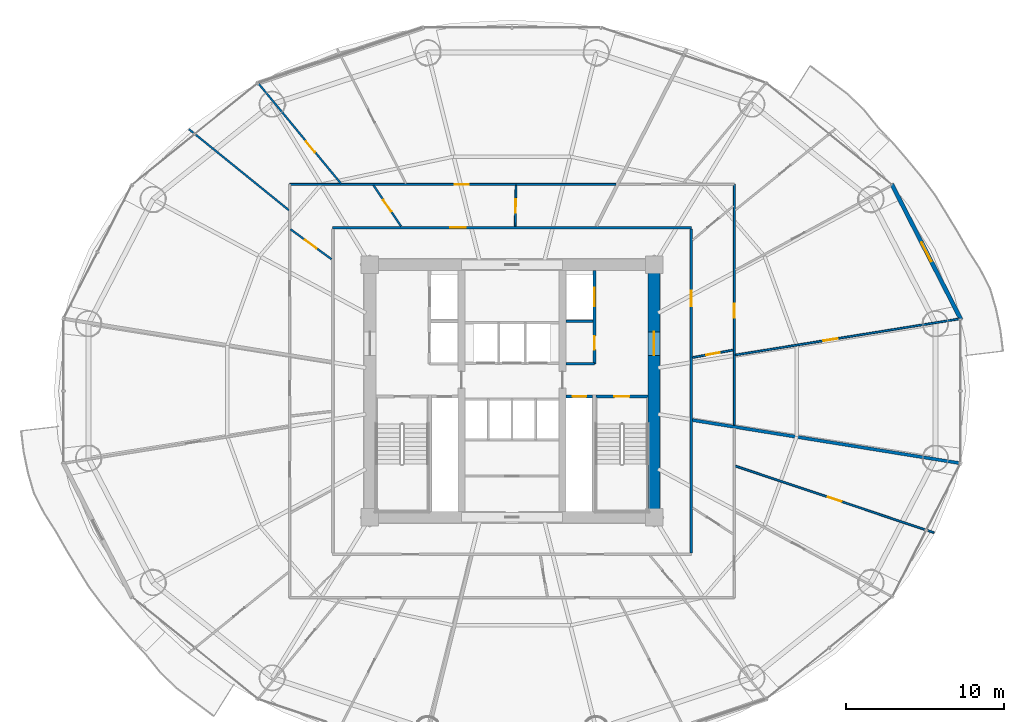
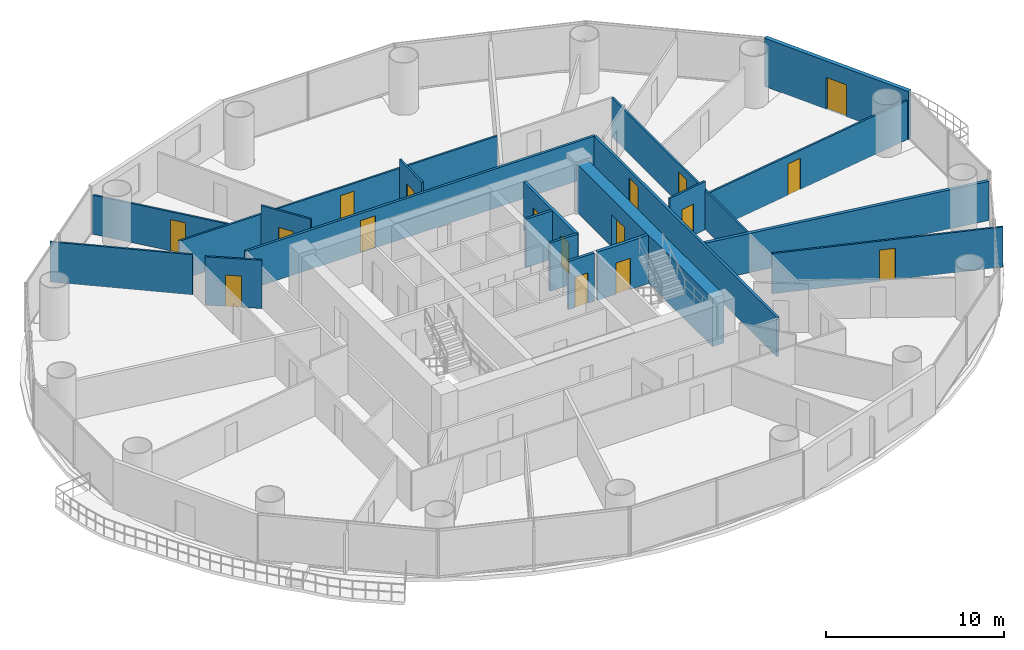
# One storey, part 25 of 30: 20 walls, 17 doors, 17 openings.
"""IFC4 building model written with IfcOpenShell, lengths in metres."""

import ifcopenshell
import ifcopenshell.guid

model = None  # the IFC model being written
_history = None  # IfcOwnerHistory: only IFC2X3 demands one
_inside = {}  # id of a spatial element -> (the spatial element, [elements in it])
_under = {}  # id of a project, library or spatial element -> (it, [spatial elements below it])
_declared = {}  # id of a project -> (the project, [libraries it declares])
_typed = {}  # id of a type object -> (the type object, [elements of that type])
_made_of = {}  # id of a material, layer set ... -> (it, [elements and type objects made of it])


def new_model(schema):
    """Start an empty IFC model of exactly this schema.

    Asked for "IFC4X3", IfcOpenShell would pick the latest addendum, in which some entities
    have other attributes; the version numbers below select the first issue.
    IFC2X3 requires an IfcOwnerHistory on every rooted entity: one is made here for all.
    """
    global model, _history
    if schema == "IFC4X3":
        model = ifcopenshell.file(schema_version=(4, 3, 0, 0))
    else:
        model = ifcopenshell.file(schema=schema)
    _inside.clear()
    _under.clear()
    _declared.clear()
    _typed.clear()
    _made_of.clear()
    _history = None
    if model.schema == "IFC2X3":
        org = make("IfcOrganization", Name="unknown")
        user = make(
            "IfcPersonAndOrganization",
            ThePerson=make("IfcPerson", FamilyName="unknown"),
            TheOrganization=org,
        )
        app = make(
            "IfcApplication",
            ApplicationDeveloper=org,
            Version="unknown",
            ApplicationFullName="unknown",
            ApplicationIdentifier="unknown",
        )
        _history = make(
            "IfcOwnerHistory",
            OwningUser=user,
            OwningApplication=app,
            ChangeAction="ADDED",
            CreationDate=0,
        )
    return model


def make(cls, **values):
    """One entity of the class cls with the attributes given. An attribute that is None is left unset."""
    return model.create_entity(
        cls, **{name: value for name, value in values.items() if value is not None}
    )


def rooted(cls, **values):
    """An entity with a GlobalId (a new one), such as an element, a storey or a relation."""
    return make(cls, GlobalId=ifcopenshell.guid.new(), OwnerHistory=_history, **values)


def si_unit(unit_type, name, prefix=None):
    """IfcSIUnit, for example si_unit("LENGTHUNIT", "METRE", prefix="MILLI")."""
    return make("IfcSIUnit", UnitType=unit_type, Prefix=prefix, Name=name)


def assignment(units):
    """IfcUnitAssignment: the units of a project."""
    return None if units is None else make("IfcUnitAssignment", Units=units)


def point(xyz):
    """IfcCartesianPoint."""
    return None if xyz is None else make("IfcCartesianPoint", Coordinates=xyz)


def direction(xyz):
    """IfcDirection."""
    return None if xyz is None else make("IfcDirection", DirectionRatios=xyz)


def frame(location, z_axis=None, x_axis=None):
    """IfcAxis2Placement3D, a coordinate frame: its origin and axes. An axis left out is left unset."""
    return make(
        "IfcAxis2Placement3D",
        Location=point(location),
        Axis=direction(z_axis),
        RefDirection=direction(x_axis),
    )


def frame_2d(location, x_axis=None):
    """IfcAxis2Placement2D, a coordinate frame in the plane: its origin and x axis."""
    return make(
        "IfcAxis2Placement2D", Location=point(location), RefDirection=direction(x_axis)
    )


def origin():
    """The frame at (0, 0, 0) with its axes left unset."""
    return frame((0.0, 0.0, 0.0))


def place(relative_to, where):
    """IfcLocalPlacement: puts the frame where relative to a parent placement (None: the world)."""
    return make(
        "IfcLocalPlacement", PlacementRelTo=relative_to, RelativePlacement=where
    )


def context(
    kind, dimensions, precision=None, world=None, true_north=None, identifier=None
):
    """IfcGeometricRepresentationContext, for example the 3D "Model" context."""
    return make(
        "IfcGeometricRepresentationContext",
        ContextIdentifier=identifier,
        ContextType=kind,
        CoordinateSpaceDimension=dimensions,
        Precision=precision,
        WorldCoordinateSystem=world,
        TrueNorth=true_north,
    )


def subcontext(parent, identifier, kind, view, scale=None):
    """IfcGeometricRepresentationSubContext, for example "Body" below "Model"."""
    return make(
        "IfcGeometricRepresentationSubContext",
        ContextIdentifier=identifier,
        ContextType=kind,
        ParentContext=parent,
        TargetScale=scale,
        TargetView=view,
    )


def project(units=None, contexts=None):
    """IfcProject with its units and contexts."""
    return rooted(
        "IfcProject",
        Name="project",
        RepresentationContexts=contexts,
        UnitsInContext=assignment(units),
    )


def spatial(cls, under=None, at=None, **own):
    """A site, building, storey or space (cls), placed at a placement, below another one or the project."""
    s = rooted(cls, ObjectPlacement=at, **own)
    if under is not None:
        _under.setdefault(under.id(), (under, []))[1].append(s)
    return s


def profile(cls, at=None, kind="AREA", **sizes):
    """A parametric profile (cls). Its sizes go by their IFC names, for example OverallWidth=200.0."""
    return make(cls, ProfileType=kind, Position=at, **sizes)


def rectangle(**sizes):
    """IfcRectangleProfileDef."""
    return profile("IfcRectangleProfileDef", **sizes)


def extrude(swept, where, along, depth):
    """IfcExtrudedAreaSolid: the profile swept, set in the frame where, extruded along a direction by depth."""
    return make(
        "IfcExtrudedAreaSolid",
        SweptArea=swept,
        Position=where,
        ExtrudedDirection=direction(along),
        Depth=depth,
    )


def shape(context_of_items, identifier, shape_type, items):
    """IfcShapeRepresentation: the items that make up one representation, for example the "Body"."""
    return make(
        "IfcShapeRepresentation",
        ContextOfItems=context_of_items,
        RepresentationIdentifier=identifier,
        RepresentationType=shape_type,
        Items=items,
    )


def source(mapping_origin, context_of_items, identifier, shape_type, items):
    """IfcRepresentationMap: a shape defined once, which mapped items show again and again."""
    return make(
        "IfcRepresentationMap",
        MappingOrigin=mapping_origin,
        MappedRepresentation=shape(context_of_items, identifier, shape_type, items),
    )


def transform(
    local_origin,
    x_axis=None,
    y_axis=None,
    z_axis=None,
    scale=None,
    scale2=None,
    scale3=None,
    uniform=True,
):
    """IfcCartesianTransformationOperator3D, or its non-uniform kind. x_axis, y_axis, z_axis: its Axis1, 2, 3."""
    if uniform:
        return make(
            "IfcCartesianTransformationOperator3D",
            Axis1=direction(x_axis),
            Axis2=direction(y_axis),
            LocalOrigin=point(local_origin),
            Scale=scale,
            Axis3=direction(z_axis),
        )
    return make(
        "IfcCartesianTransformationOperator3DnonUniform",
        Axis1=direction(x_axis),
        Axis2=direction(y_axis),
        LocalOrigin=point(local_origin),
        Scale=scale,
        Axis3=direction(z_axis),
        Scale2=scale2,
        Scale3=scale3,
    )


def mapped(mapping_source, mapping_target):
    """IfcMappedItem: shows the shape of a source again, moved by a transform."""
    return make(
        "IfcMappedItem", MappingSource=mapping_source, MappingTarget=mapping_target
    )


def material(Name=None, Category=None):
    """IfcMaterial."""
    return make("IfcMaterial", Name=Name, Category=Category)


def layer(
    of_material, thickness, ventilated=None, Name=None, Category=None, Priority=None
):
    """IfcMaterialLayer: one layer of a wall or slab, of a material (None: an air gap)."""
    return make(
        "IfcMaterialLayer",
        Material=of_material,
        LayerThickness=thickness,
        IsVentilated=ventilated,
        Name=Name,
        Category=Category,
        Priority=Priority,
    )


def layer_set(layers, Name=None):
    """IfcMaterialLayerSet."""
    return make("IfcMaterialLayerSet", MaterialLayers=layers, LayerSetName=Name)


def made_of(thing, what):
    """Note that an element or type object is made of a material, layer set ...; save() writes the relation."""
    if what is not None:
        _made_of.setdefault(what.id(), (what, []))[1].append(thing)
    return thing


def type_object(cls, material=None, **own):
    """A type object (cls), such as IfcWallType, which elements share."""
    return made_of(rooted(cls, **own), material)


def element(
    cls,
    number,
    at=None,
    inside=None,
    cuts=None,
    type_object=None,
    material=None,
    context=None,
    identifier="Body",
    shape_type=None,
    held_by="IfcProductDefinitionShape",
    body=None,
    shapes=None,
    **own,
):
    """One element of the class cls, such as IfcWall. Its Tag is "e" and its number.

    at: its placement. inside: the storey or other place that contains it. cuts: it is an
    opening in that element (IfcRelVoidsElement). A single representation is given by context,
    identifier, shape_type and body (its items); several are given by shapes. held_by: the class
    of the entity that holds the representations. save() writes the other relations.
    """
    e = rooted(cls, Tag="e%d" % number, ObjectPlacement=at, **own)
    if body is not None:
        shapes = [shape(context, identifier, shape_type, body)]
    if shapes is not None:
        e.Representation = make(held_by, Representations=shapes)
    if inside is not None:
        _inside.setdefault(inside.id(), (inside, []))[1].append(e)
    if cuts is not None:
        rooted(
            "IfcRelVoidsElement", RelatingBuildingElement=cuts, RelatedOpeningElement=e
        )
    if type_object is not None:
        _typed.setdefault(type_object.id(), (type_object, []))[1].append(e)
    return made_of(e, material)


def fill(opening, filler):
    """IfcRelFillsElement: the door or window that sits in an opening."""
    return rooted(
        "IfcRelFillsElement",
        RelatingOpeningElement=opening,
        RelatedBuildingElement=filler,
    )


def aggregate(whole, parts):
    """IfcRelAggregates: a whole, such as a stair, and the parts it consists of."""
    return rooted("IfcRelAggregates", RelatingObject=whole, RelatedObjects=parts)


def save(model, path):
    """Write the relations noted so far, then the file.

    IfcRelAggregates (storeys below a building ...), IfcRelContainedInSpatialStructure (elements
    in a storey), IfcRelDefinesByType, IfcRelAssociatesMaterial and IfcRelDeclares: one each for
    every whole, place, type object, material and project.
    """
    for whole, parts in _under.values():
        aggregate(whole, parts)
    for where, things in _inside.values():
        rooted(
            "IfcRelContainedInSpatialStructure",
            RelatedElements=things,
            RelatingStructure=where,
        )
    for kind, things in _typed.values():
        rooted("IfcRelDefinesByType", RelatedObjects=things, RelatingType=kind)
    for what, things in _made_of.values():
        rooted("IfcRelAssociatesMaterial", RelatedObjects=things, RelatingMaterial=what)
    for by, libraries in _declared.values():
        rooted("IfcRelDeclares", RelatingContext=by, RelatedDefinitions=libraries)
    model.write(path)


model = new_model("IFC4")

# Units and contexts
model_context = context("Model", 3, precision=1e-05, world=origin(), true_north=direction((-0.2419218956, 0.970295726276)))
body_context = subcontext(model_context, "Body", "Model", "MODEL_VIEW")
ifc_project = project(units=[si_unit("LENGTHUNIT", "METRE"), si_unit("AREAUNIT", "SQUARE_METRE"), si_unit("VOLUMEUNIT", "CUBIC_METRE"), si_unit("PLANEANGLEUNIT", "RADIAN"), si_unit("MASSUNIT", "GRAM", prefix="KILO")], contexts=[model_context])

# Site, building, storey
site_placement = place(None, origin())
site = spatial("IfcSite", under=ifc_project, at=site_placement, CompositionType="ELEMENT")
building_placement = place(site_placement, origin())
building = spatial("IfcBuilding", under=site, at=building_placement, Name="Cobrevalo Terracotta Tower", CompositionType="ELEMENT")
storey_placement = place(building_placement, frame((0.0, 0.0, 27.60009765625)))
storey = spatial("IfcBuildingStorey", under=building, at=storey_placement, Name="L06", CompositionType="ELEMENT", Elevation=27.60009765625)

# Wall, opening, door
ifc_material_1 = material(Name="Concrete C60", Category="concrete")
ifc_layer_1 = layer(ifc_material_1, 0.75)
ifc_layer_set_1 = layer_set([ifc_layer_1], Name="Concrete C60")
wall_type_1 = type_object("IfcWallType", Name="Core shear wall 750 mm Concrete C60", PredefinedType="SHEAR", material=ifc_layer_set_1)
wall_1_placement = place(storey_placement, frame((47.0, 19.175048828125, 0.0), z_axis=(0.0, 0.0, 1.0), x_axis=(0.0, 1.0, 0.0)))
wall_1 = element("IfcWall", 1, at=wall_1_placement, inside=storey, type_object=wall_type_1, Name="L06 east core shear wall", PredefinedType="SHEAR", context=body_context, shape_type="SweptSolid", body=[
    extrude(rectangle(XDim=15.25, YDim=0.75, at=frame_2d((7.625, 0.0))), origin(), (0.0, 0.0, 1.0), 3.31982421875),
])
opening_1_placement = place(wall_1_placement, frame((9.875, 0.0, 0.0)))
opening_1 = element("IfcOpeningElement", 2, at=opening_1_placement, cuts=wall_1, Name="Opening ID-14", PredefinedType="OPENING", context=body_context, shape_type="SweptSolid", body=[
    extrude(rectangle(XDim=1.5, YDim=2.199951171875, at=frame_2d((0.75, 1.10009765625))), frame((0.0, 0.385009765625, 0.0), z_axis=(0.0, -1.0, 0.0), x_axis=(1.0, 0.0, 0.0)), (0.0, 0.0, 1.0), 0.77001953125),
])
ifc_material_2 = material(Name="Galvanized fire-rated steel", Category="steel")
door_type_1 = type_object("IfcDoorType", Name="Core cross-lobby double fire door 1500x2200 EI 90", OperationType="NOTDEFINED", PredefinedType="DOOR", material=ifc_material_2)
shared_shape_1 = source(origin(), body_context, "Body", "SweptSolid", [
    extrude(rectangle(XDim=1.5, YDim=2.199951171875, at=frame_2d((0.75, 1.10009765625))), frame((0.0, 0.02490234375, 0.0), z_axis=(0.0, -1.0, 0.0), x_axis=(1.0, 0.0, 0.0)), (0.0, 0.0, 1.0), 0.050048828125),
])
door_1_placement = place(opening_1_placement, frame((1.5, 0.0, 0.0), z_axis=(0.0, 0.0, 1.0), x_axis=(-1.0, 0.0, 0.0)))
door_1 = element("IfcDoor", 3, at=door_1_placement, inside=storey, type_object=door_type_1, Name="L06 east firefighting lobby entrance door", OperationType="DOUBLE_DOOR_SINGLE_SWING", OverallHeight=2.199951171875, OverallWidth=1.5, PredefinedType="DOOR", context=body_context, shape_type="MappedRepresentation", body=[
    mapped(shared_shape_1, transform((0.0, 0.0, 0.0), scale=1.0)),
])
fill(opening_1, door_1)

# Walls
ifc_material_3 = material(Name="Gypsum board on steel stud", Category="steel")
ifc_layer_2 = layer(ifc_material_3, 0.159912109375)
ifc_layer_set_2 = layer_set([ifc_layer_2], Name="Gypsum board on steel stud")
wall_type_2 = type_object("IfcWallType", Name="Fire-rated corridor acoustic partition wall 160 mm", PredefinedType="PARTITIONING", material=ifc_layer_set_2)
wall_2_placement = place(storey_placement, frame((41.425048828125, 31.219970703125, 0.0), z_axis=(0.0, 0.0, 1.0), x_axis=(1.0, 0.0, 0.0)))
element("IfcWall", 4, at=wall_2_placement, inside=storey, type_object=wall_type_2, Name="L06 interior partition IW-L06-FF2-M", PredefinedType="PARTITIONING", context=body_context, shape_type="SweptSolid", body=[
    extrude(rectangle(XDim=1.71484375, YDim=0.159912109375, at=frame_2d((0.857421875, 0.0))), origin(), (0.0, 0.0, 1.0), 3.31982421875),
])
wall_3_placement = place(storey_placement, frame((41.425048828125, 28.52001953125, 0.0), z_axis=(0.0, 0.0, 1.0), x_axis=(1.0, 0.0, 0.0)))
element("IfcWall", 5, at=wall_3_placement, inside=storey, type_object=wall_type_2, Name="L06 interior partition IW-L06-FF2-S", PredefinedType="PARTITIONING", context=body_context, shape_type="SweptSolid", body=[
    extrude(rectangle(XDim=1.804931640625, YDim=0.159912109375, at=frame_2d((0.90234375, 0.0))), origin(), (0.0, 0.0, 1.0), 3.31982421875),
])

# Wall, opening, door
wall_4_placement = place(storey_placement, frame((26.64501953125, 37.155029296875, 0.0), z_axis=(0.0, 0.0, 1.0), x_axis=(1.0, 0.0, 0.0)))
wall_4 = element("IfcWall", 6, at=wall_4_placement, inside=storey, type_object=wall_type_2, Name="L06 interior partition IW-L06-COR-N", PredefinedType="PARTITIONING", context=body_context, shape_type="SweptSolid", body=[
    extrude(rectangle(XDim=22.7099609375, YDim=0.159912109375, at=frame_2d((11.35498046875, 0.0))), origin(), (0.0, 0.0, 1.0), 2.68798828125),
])
opening_2_placement = place(wall_4_placement, frame((7.44580078125, 0.0, 0.0)))
opening_2 = element("IfcOpeningElement", 7, at=opening_2_placement, cuts=wall_4, Name="Opening ID-05", PredefinedType="OPENING", context=body_context, shape_type="SweptSolid", body=[
    extrude(rectangle(XDim=0.97998046875, YDim=2.199951171875, at=frame_2d((0.489990234375, 1.10009765625))), frame((0.0, 0.08984375, 0.0), z_axis=(0.0, -1.0, 0.0), x_axis=(1.0, 0.0, 0.0)), (0.0, 0.0, 1.0), 0.179931640625),
])
ifc_material_4 = material(Name="Solid hardwood timber", Category="wood")
door_type_2 = type_object("IfcDoorType", Name="Residence entrance fire-rated acoustic timber door 980x2200 EI 60", OperationType="NOTDEFINED", PredefinedType="DOOR", material=ifc_material_4)
shared_shape_2 = source(origin(), body_context, "Body", "SweptSolid", [
    extrude(rectangle(XDim=0.97998046875, YDim=2.199951171875, at=frame_2d((0.489990234375, 1.10009765625))), frame((0.0, 0.02490234375, 0.0), z_axis=(0.0, -1.0, 0.0), x_axis=(1.0, 0.0, 0.0)), (0.0, 0.0, 1.0), 0.050048828125),
])
door_2_placement = place(opening_2_placement, origin())
door_2 = element("IfcDoor", 8, at=door_2_placement, inside=storey, type_object=door_type_2, Name="Flat L06B fire-rated apartment entrance door", OperationType="SINGLE_SWING_LEFT", OverallHeight=2.199951171875, OverallWidth=0.97998046875, PredefinedType="DOOR", context=body_context, shape_type="MappedRepresentation", body=[
    mapped(shared_shape_2, transform((0.0, 0.0, 0.0), scale=1.0)),
])
fill(opening_2, door_2)

wall_5_placement = place(storey_placement, frame((49.35498046875, 16.52490234375, 0.0), z_axis=(0.0, 0.0, 1.0), x_axis=(0.0, 1.0, 0.0)))
wall_5 = element("IfcWall", 9, at=wall_5_placement, inside=storey, type_object=wall_type_2, Name="L06 interior partition IW-L06-COR-E", PredefinedType="PARTITIONING", context=body_context, shape_type="SweptSolid", body=[
    extrude(rectangle(XDim=20.550048828125, YDim=0.159912109375, at=frame_2d((10.27490234375, 0.0))), origin(), (0.0, 0.0, 1.0), 2.68798828125),
])
opening_3_placement = place(wall_5_placement, frame((15.635009765625, 0.0, 0.0)))
opening_3 = element("IfcOpeningElement", 10, at=opening_3_placement, cuts=wall_5, Name="Opening ID-05", PredefinedType="OPENING", context=body_context, shape_type="SweptSolid", body=[
    extrude(rectangle(XDim=0.97998046875, YDim=2.199951171875, at=frame_2d((0.489990234375, 1.10009765625))), frame((0.0, 0.08984375, 0.0), z_axis=(0.0, -1.0, 0.0), x_axis=(1.0, 0.0, 0.0)), (0.0, 0.0, 1.0), 0.179931640625),
])
door_3_placement = place(opening_3_placement, frame((0.97998046875, 0.0, 0.0), z_axis=(0.0, 0.0, 1.0), x_axis=(-1.0, 0.0, 0.0)))
door_3 = element("IfcDoor", 11, at=door_3_placement, inside=storey, type_object=door_type_2, Name="Flat L06A fire-rated apartment entrance door", OperationType="SINGLE_SWING_LEFT", OverallHeight=2.199951171875, OverallWidth=0.97998046875, PredefinedType="DOOR", context=body_context, shape_type="MappedRepresentation", body=[
    mapped(shared_shape_2, transform((0.0, 0.0, 0.0), scale=1.0)),
])
fill(opening_3, door_3)

ifc_layer_3 = layer(ifc_material_3, 0.179931640625)
ifc_layer_set_3 = layer_set([ifc_layer_3], Name="Gypsum board on steel stud")
wall_type_3 = type_object("IfcWallType", Name="Fire-rated shaft & lobby acoustic partition wall 180 mm", PredefinedType="PARTITIONING", material=ifc_layer_set_3)
wall_6_placement = place(storey_placement, frame((41.425048828125, 26.449951171875, 0.0), z_axis=(0.0, 0.0, 1.0), x_axis=(1.0, 0.0, 0.0)))
wall_6 = element("IfcWall", 12, at=wall_6_placement, inside=storey, type_object=wall_type_3, Name="L06 interior partition IW-L06-RSE-N", PredefinedType="PARTITIONING", context=body_context, shape_type="SweptSolid", body=[
    extrude(rectangle(XDim=1.675048828125, YDim=0.179931640625, at=frame_2d((0.83740234375, 0.0))), origin(), (0.0, 0.0, 1.0), 3.31982421875),
])
opening_4_placement = place(wall_6_placement, frame((0.41259765625, 0.0, 0.0)))
opening_4 = element("IfcOpeningElement", 13, at=opening_4_placement, cuts=wall_6, Name="Opening ID-22", PredefinedType="OPENING", context=body_context, shape_type="SweptSolid", body=[
    extrude(rectangle(XDim=0.85009765625, YDim=2.10009765625, at=frame_2d((0.425048828125, 1.050048828125))), frame((0.0, 0.10009765625, 0.0), z_axis=(0.0, -1.0, 0.0), x_axis=(1.0, 0.0, 0.0)), (0.0, 0.0, 1.0), 0.199951171875),
])
ifc_material_5 = material(Name="Powder-coated steel", Category="steel")
door_type_3 = type_object("IfcDoorType", Name="Riser shaft & meter closet fire access door 850x2100 EI 60", OperationType="NOTDEFINED", PredefinedType="DOOR", material=ifc_material_5)
shared_shape_3 = source(origin(), body_context, "Body", "SweptSolid", [
    extrude(rectangle(XDim=0.85009765625, YDim=2.10009765625, at=frame_2d((0.425048828125, 1.050048828125))), frame((0.0, 0.02490234375, 0.0), z_axis=(0.0, -1.0, 0.0), x_axis=(1.0, 0.0, 0.0)), (0.0, 0.0, 1.0), 0.050048828125),
])
door_4_placement = place(opening_4_placement, origin())
door_4 = element("IfcDoor", 14, at=door_4_placement, inside=storey, type_object=door_type_3, Name="L06 riser access door RSE", OperationType="SINGLE_SWING_RIGHT", OverallHeight=2.10009765625, OverallWidth=0.85009765625, PredefinedType="DOOR", context=body_context, shape_type="MappedRepresentation", body=[
    mapped(shared_shape_3, transform((0.0, 0.0, 0.0), scale=1.0)),
])
fill(opening_4, door_4)

# Wall, openings, doors
wall_7_placement = place(storey_placement, frame((43.22998046875, 28.52001953125, 0.0), z_axis=(0.0, 0.0, 1.0), x_axis=(0.0, 1.0, 0.0)))
wall_7 = element("IfcWall", 15, at=wall_7_placement, inside=storey, type_object=wall_type_3, Name="L06 interior partition IW-L06-FF2-E", PredefinedType="PARTITIONING", context=body_context, shape_type="SweptSolid", body=[
    extrude(rectangle(XDim=5.905029296875, YDim=0.179931640625, at=frame_2d((2.95263671875, 0.0))), origin(), (0.0, 0.0, 1.0), 3.31982421875),
])
opening_5_placement = place(wall_7_placement, frame((0.905029296875, 0.0, 0.0)))
opening_5 = element("IfcOpeningElement", 16, at=opening_5_placement, cuts=wall_7, Name="Opening ID-22", PredefinedType="OPENING", context=body_context, shape_type="SweptSolid", body=[
    extrude(rectangle(XDim=0.85009765625, YDim=2.10009765625, at=frame_2d((0.425048828125, 1.050048828125))), frame((0.0, 0.10009765625, 0.0), z_axis=(0.0, -1.0, 0.0), x_axis=(1.0, 0.0, 0.0)), (0.0, 0.0, 1.0), 0.199951171875),
])
opening_6_placement = place(wall_7_placement, frame((3.655029296875, 0.0, 0.0)))
opening_6 = element("IfcOpeningElement", 17, at=opening_6_placement, cuts=wall_7, Name="Opening LD-02", PredefinedType="OPENING", context=body_context, shape_type="SweptSolid", body=[
    extrude(rectangle(XDim=1.14990234375, YDim=2.199951171875, at=frame_2d((0.574951171875, 1.10009765625))), frame((0.0, 0.10009765625, 0.0), z_axis=(0.0, -1.0, 0.0), x_axis=(1.0, 0.0, 0.0)), (0.0, 0.0, 1.0), 0.199951171875),
])
door_5_placement = place(opening_5_placement, frame((0.85009765625, 0.0, 0.0), z_axis=(0.0, 0.0, 1.0), x_axis=(-1.0, 0.0, 0.0)))
door_5 = element("IfcDoor", 18, at=door_5_placement, inside=storey, type_object=door_type_3, Name="L06 housekeeping store door", OperationType="SINGLE_SWING_RIGHT", OverallHeight=2.10009765625, OverallWidth=0.85009765625, PredefinedType="DOOR", context=body_context, shape_type="MappedRepresentation", body=[
    mapped(shared_shape_3, transform((0.0, 0.0, 0.0), scale=1.0)),
])
fill(opening_5, door_5)
ifc_material_6 = material(Name="Brushed stainless steel", Category="steel")
door_type_4 = type_object("IfcDoorType", Name="Firefighting lift landing bi-parting sliding door 1150x2200 EI 120", OperationType="DOUBLE_DOOR_SLIDING", PredefinedType="DOOR", material=ifc_material_6)
shared_shape_4 = source(origin(), body_context, "Body", "SweptSolid", [
    extrude(rectangle(XDim=1.14990234375, YDim=2.199951171875, at=frame_2d((0.574951171875, 1.10009765625))), frame((0.0, 0.02490234375, 0.0), z_axis=(0.0, -1.0, 0.0), x_axis=(1.0, 0.0, 0.0)), (0.0, 0.0, 1.0), 0.050048828125),
])
door_6_placement = place(opening_6_placement, origin())
door_6 = element("IfcDoor", 19, at=door_6_placement, inside=storey, type_object=door_type_4, Name="L06 lift landing door FF-2", OperationType="DOUBLE_DOOR_SLIDING", OverallHeight=2.199951171875, OverallWidth=1.14990234375, PredefinedType="DOOR", context=body_context, shape_type="MappedRepresentation", body=[
    mapped(shared_shape_4, transform((0.0, 0.0, 0.0), scale=1.0)),
])
fill(opening_6, door_6)

# Wall
ifc_material_7 = material(Name="Autoclaved aerated concrete block", Category="concrete")
ifc_layer_4 = layer(ifc_material_7, 0.199951171875)
ifc_layer_set_4 = layer_set([ifc_layer_4], Name="Autoclaved aerated concrete block")
wall_type_4 = type_object("IfcWallType", Name="Fire-rated stair, shaft & demising masonry wall 200 mm", PredefinedType="PARTITIONING", material=ifc_layer_set_4)
wall_8_placement = place(storey_placement, frame((49.43505859375, 24.956787109375, 0.0), z_axis=(0.0, 0.0, 1.0), x_axis=(0.987258195973, -0.159126536076, 0.0)))
element("IfcWall", 20, at=wall_8_placement, inside=storey, type_object=wall_type_4, Name="L06 interior partition IW-L06-DEM-1", PredefinedType="PARTITIONING", context=body_context, shape_type="SweptSolid", body=[
    extrude(rectangle(XDim=17.10546875, YDim=0.199951171875, at=frame_2d((8.552734375, 0.0))), origin(), (0.0, 0.0, 1.0), 2.68798828125),
])

# Wall, opening, door
ifc_layer_5 = layer(ifc_material_7, 0.260009765625)
ifc_layer_set_5 = layer_set([ifc_layer_5], Name="Autoclaved aerated concrete block")
wall_type_5 = type_object("IfcWallType", Name="Recessed balcony loggia insulated exterior wall 260 mm", PredefinedType="SOLIDWALL", material=ifc_layer_set_5)
wall_9_placement = place(storey_placement, frame((66.44970703125, 31.3076171875, 0.0), z_axis=(0.0, 0.0, 1.0), x_axis=(-0.45523081716, 0.890373462715, 0.0)))
wall_9 = element("IfcWall", 21, at=wall_9_placement, inside=storey, type_object=wall_type_5, Name="L06 balcony loggia wall S01", PredefinedType="SOLIDWALL", context=body_context, shape_type="SweptSolid", body=[
    extrude(rectangle(XDim=9.662109375, YDim=0.260009765625, at=frame_2d((4.8310546875, 0.0))), origin(), (0.0, 0.0, 1.0), 3.31982421875),
])
opening_7_placement = place(wall_9_placement, frame((4.156005859375, 0.0, 0.0)))
opening_7 = element("IfcOpeningElement", 22, at=opening_7_placement, cuts=wall_9, Name="Opening ED-05", PredefinedType="OPENING", context=body_context, shape_type="SweptSolid", body=[
    extrude(rectangle(XDim=1.35009765625, YDim=2.199951171875, at=frame_2d((0.675048828125, 1.10009765625))), frame((0.0, 0.14013671875, 0.0), z_axis=(0.0, -1.0, 0.0), x_axis=(1.0, 0.0, 0.0)), (0.0, 0.0, 1.0), 0.280029296875),
])
ifc_material_8 = material(Name="Anodized aluminium and laminated glass", Category="aluminium")
door_type_5 = type_object("IfcDoorType", Name="Suite balcony acoustic glazed terrace door 1350x2200", OperationType="NOTDEFINED", PredefinedType="DOOR", material=ifc_material_8)
shared_shape_5 = source(origin(), body_context, "Body", "SweptSolid", [
    extrude(rectangle(XDim=1.35009765625, YDim=2.199951171875, at=frame_2d((0.675048828125, 1.10009765625))), frame((0.0, 0.02490234375, 0.0), z_axis=(0.0, -1.0, 0.0), x_axis=(1.0, 0.0, 0.0)), (0.0, 0.0, 1.0), 0.050048828125),
])
door_7_placement = place(opening_7_placement, frame((1.35009765625, 0.0, 0.0), z_axis=(0.0, 0.0, 1.0), x_axis=(-1.0, 0.0, 0.0)))
door_7 = element("IfcDoor", 23, at=door_7_placement, inside=storey, type_object=door_type_5, Name="L06 glazed balcony terrace door 1", OperationType="SINGLE_SWING_LEFT", OverallHeight=2.199951171875, OverallWidth=1.35009765625, PredefinedType="DOOR", context=body_context, shape_type="MappedRepresentation", body=[
    mapped(shared_shape_5, transform((0.0, 0.0, 0.0), scale=1.0)),
])
fill(opening_7, door_7)

ifc_layer_6 = layer(ifc_material_3, 0.1201171875)
ifc_layer_set_6 = layer_set([ifc_layer_6], Name="Gypsum board on steel stud")
wall_type_6 = type_object("IfcWallType", Name="Residential internal acoustic stud partition 120 mm", PredefinedType="PARTITIONING", material=ifc_layer_set_6)
wall_10_placement = place(storey_placement, frame((52.0849609375, 39.885009765625, 0.0), z_axis=(0.0, 0.0, 1.0), x_axis=(0.0, -1.0, 0.0)))
wall_10 = element("IfcWall", 24, at=wall_10_placement, inside=storey, type_object=wall_type_6, Name="L06 interior partition IW-L06-U1-RING1_0", PredefinedType="PARTITIONING", context=body_context, shape_type="SweptSolid", body=[
    extrude(rectangle(XDim=15.25341796875, YDim=0.1201171875, at=frame_2d((7.626708984375, 0.0))), origin(), (0.0, 0.0, 1.0), 2.68798828125),
])
opening_8_placement = place(wall_10_placement, frame((7.543212890625, 0.0, 0.0)))
opening_8 = element("IfcOpeningElement", 25, at=opening_8_placement, cuts=wall_10, Name="Opening ID-12", PredefinedType="OPENING", context=body_context, shape_type="SweptSolid", body=[
    extrude(rectangle(XDim=0.89990234375, YDim=2.14990234375, at=frame_2d((0.449951171875, 1.074951171875))), frame((0.0, 0.070068359375, 0.0), z_axis=(0.0, -1.0, 0.0), x_axis=(1.0, 0.0, 0.0)), (0.0, 0.0, 1.0), 0.14013671875),
])
ifc_material_9 = material(Name="Engineered timber", Category="wood")
door_type_6 = type_object("IfcDoorType", Name="Internal residence & suite timber door 900x2150", OperationType="NOTDEFINED", PredefinedType="DOOR", material=ifc_material_9)
shared_shape_6 = source(origin(), body_context, "Body", "SweptSolid", [
    extrude(rectangle(XDim=0.89990234375, YDim=2.14990234375, at=frame_2d((0.449951171875, 1.074951171875))), frame((0.0, 0.02490234375, 0.0), z_axis=(0.0, -1.0, 0.0), x_axis=(1.0, 0.0, 0.0)), (0.0, 0.0, 1.0), 0.050048828125),
])
door_8_placement = place(opening_8_placement, origin())
door_8 = element("IfcDoor", 26, at=door_8_placement, inside=storey, type_object=door_type_6, Name="Flat L06A Penthouse Family Lounge internal door", OperationType="SINGLE_SWING_RIGHT", OverallHeight=2.14990234375, OverallWidth=0.89990234375, PredefinedType="DOOR", context=body_context, shape_type="MappedRepresentation", body=[
    mapped(shared_shape_6, transform((0.0, 0.0, 0.0), scale=1.0)),
])
fill(opening_8, door_8)

wall_11_placement = place(storey_placement, frame((52.146240234375, 29.080078125, 0.0), z_axis=(0.0, 0.0, 1.0), x_axis=(0.987255773689, 0.159141563768, 0.0)))
wall_11 = element("IfcWall", 27, at=wall_11_placement, inside=storey, type_object=wall_type_6, Name="L06 interior partition IW-L06-U1-ORAD1", PredefinedType="PARTITIONING", context=body_context, shape_type="SweptSolid", body=[
    extrude(rectangle(XDim=14.359375, YDim=0.1201171875, at=frame_2d((7.1796875, 0.0))), origin(), (0.0, 0.0, 1.0), 2.68798828125),
])
opening_9_placement = place(wall_11_placement, frame((5.658935546875, 0.0, 0.0)))
opening_9 = element("IfcOpeningElement", 28, at=opening_9_placement, cuts=wall_11, Name="Opening ID-12", PredefinedType="OPENING", context=body_context, shape_type="SweptSolid", body=[
    extrude(rectangle(XDim=0.89990234375, YDim=2.14990234375, at=frame_2d((0.449951171875, 1.074951171875))), frame((0.0, 0.070068359375, 0.0), z_axis=(0.0, -1.0, 0.0), x_axis=(1.0, 0.0, 0.0)), (0.0, 0.0, 1.0), 0.14013671875),
])
door_9_placement = place(opening_9_placement, frame((0.89990234375, 0.0, 0.0), z_axis=(0.0, 0.0, 1.0), x_axis=(-1.0, 0.0, 0.0)))
door_9 = element("IfcDoor", 29, at=door_9_placement, inside=storey, type_object=door_type_6, Name="Flat L06A Penthouse Living and Dining Room internal door", OperationType="SINGLE_SWING_RIGHT", OverallHeight=2.14990234375, OverallWidth=0.89990234375, PredefinedType="DOOR", context=body_context, shape_type="MappedRepresentation", body=[
    mapped(shared_shape_6, transform((0.0, 0.0, 0.0), scale=1.0)),
])
fill(opening_9, door_9)

wall_12_placement = place(storey_placement, frame((49.43505859375, 28.91796875, 0.0), z_axis=(0.0, 0.0, 1.0), x_axis=(0.983277085422, 0.182115823818, 0.0)))
wall_12 = element("IfcWall", 30, at=wall_12_placement, inside=storey, type_object=wall_type_6, Name="L06 interior partition IW-L06-U1-IRAD1", PredefinedType="PARTITIONING", context=body_context, shape_type="SweptSolid", body=[
    extrude(rectangle(XDim=2.6328125, YDim=0.1201171875, at=frame_2d((1.31640625, 0.0))), origin(), (0.0, 0.0, 1.0), 3.31982421875),
])
opening_10_placement = place(wall_12_placement, frame((0.886474609375, 0.0, 0.0)))
opening_10 = element("IfcOpeningElement", 31, at=opening_10_placement, cuts=wall_12, Name="Opening ID-19", PredefinedType="OPENING", context=body_context, shape_type="SweptSolid", body=[
    extrude(rectangle(XDim=0.860107421875, YDim=2.14990234375, at=frame_2d((0.43017578125, 1.074951171875))), frame((0.0, 0.070068359375, 0.0), z_axis=(0.0, -1.0, 0.0), x_axis=(1.0, 0.0, 0.0)), (0.0, 0.0, 1.0), 0.14013671875),
])
ifc_material_10 = material(Name="Moisture-sealed timber", Category="wood")
door_type_7 = type_object("IfcDoorType", Name="Suite bathroom internal timber door 860x2150", OperationType="NOTDEFINED", PredefinedType="DOOR", material=ifc_material_10)
shared_shape_7 = source(origin(), body_context, "Body", "SweptSolid", [
    extrude(rectangle(XDim=0.860107421875, YDim=2.14990234375, at=frame_2d((0.43017578125, 1.074951171875))), frame((0.0, 0.02490234375, 0.0), z_axis=(0.0, -1.0, 0.0), x_axis=(1.0, 0.0, 0.0)), (0.0, 0.0, 1.0), 0.050048828125),
])
door_10_placement = place(opening_10_placement, frame((0.860107421875, 0.0, 0.0), z_axis=(0.0, 0.0, 1.0), x_axis=(-1.0, 0.0, 0.0)))
door_10 = element("IfcDoor", 32, at=door_10_placement, inside=storey, type_object=door_type_7, Name="Flat L06A Primary Bathroom internal door", OperationType="SINGLE_SWING_RIGHT", OverallHeight=2.14990234375, OverallWidth=0.860107421875, PredefinedType="DOOR", context=body_context, shape_type="MappedRepresentation", body=[
    mapped(shared_shape_7, transform((0.0, 0.0, 0.0), scale=1.0)),
])
fill(opening_10, door_10)

wall_13_placement = place(storey_placement, frame((23.9150390625, 39.885009765625, 0.0), z_axis=(0.0, 0.0, 1.0), x_axis=(1.0, 0.0, 0.0)))
wall_13 = element("IfcWall", 33, at=wall_13_placement, inside=storey, type_object=wall_type_6, Name="L06 interior partition IW-L06-U2-RING1_0", PredefinedType="PARTITIONING", context=body_context, shape_type="SweptSolid", body=[
    extrude(rectangle(XDim=20.67138671875, YDim=0.1201171875, at=frame_2d((10.335693359375, 0.0))), origin(), (0.0, 0.0, 1.0), 2.68798828125),
])
opening_11_placement = place(wall_13_placement, frame((10.444091796875, 0.0, 0.0)))
opening_11 = element("IfcOpeningElement", 34, at=opening_11_placement, cuts=wall_13, Name="Opening ID-12", PredefinedType="OPENING", context=body_context, shape_type="SweptSolid", body=[
    extrude(rectangle(XDim=0.89990234375, YDim=2.14990234375, at=frame_2d((0.449951171875, 1.074951171875))), frame((0.0, 0.070068359375, 0.0), z_axis=(0.0, -1.0, 0.0), x_axis=(1.0, 0.0, 0.0)), (0.0, 0.0, 1.0), 0.14013671875),
])
door_11_placement = place(opening_11_placement, origin())
door_11 = element("IfcDoor", 35, at=door_11_placement, inside=storey, type_object=door_type_6, Name="Flat L06B Penthouse Living and Dining Room internal door", OperationType="SINGLE_SWING_LEFT", OverallHeight=2.14990234375, OverallWidth=0.89990234375, PredefinedType="DOOR", context=body_context, shape_type="MappedRepresentation", body=[
    mapped(shared_shape_6, transform((0.0, 0.0, 0.0), scale=1.0)),
])
fill(opening_11, door_11)

wall_14_placement = place(storey_placement, frame((27.171142578125, 39.932861328125, 0.0), z_axis=(0.0, 0.0, 1.0), x_axis=(-0.636192172227, 0.771530634516, 0.0)))
wall_14 = element("IfcWall", 36, at=wall_14_placement, inside=storey, type_object=wall_type_6, Name="L06 interior partition IW-L06-U2-ORAD2M1", PredefinedType="PARTITIONING", context=body_context, shape_type="SweptSolid", body=[
    extrude(rectangle(XDim=8.186279296875, YDim=0.1201171875, at=frame_2d((4.09326171875, 0.0))), origin(), (0.0, 0.0, 1.0), 2.68798828125),
])
opening_12_placement = place(wall_14_placement, frame((2.579345703125, 0.0, 0.0)))
opening_12 = element("IfcOpeningElement", 37, at=opening_12_placement, cuts=wall_14, Name="Opening ID-12", PredefinedType="OPENING", context=body_context, shape_type="SweptSolid", body=[
    extrude(rectangle(XDim=0.89990234375, YDim=2.14990234375, at=frame_2d((0.449951171875, 1.074951171875))), frame((0.0, 0.070068359375, 0.0), z_axis=(0.0, -1.0, 0.0), x_axis=(1.0, 0.0, 0.0)), (0.0, 0.0, 1.0), 0.14013671875),
])
door_12_placement = place(opening_12_placement, origin())
door_12 = element("IfcDoor", 38, at=door_12_placement, inside=storey, type_object=door_type_6, Name="Flat L06B Principal Guest Bedroom internal door", OperationType="SINGLE_SWING_LEFT", OverallHeight=2.14990234375, OverallWidth=0.89990234375, PredefinedType="DOOR", context=body_context, shape_type="MappedRepresentation", body=[
    mapped(shared_shape_6, transform((0.0, 0.0, 0.0), scale=1.0)),
])
fill(opening_12, door_12)

# Wall
wall_15_placement = place(storey_placement, frame((23.866943359375, 38.252685546875, 0.0), z_axis=(0.0, 0.0, 1.0), x_axis=(-0.776936623447, 0.629578814087, 0.0)))
element("IfcWall", 39, at=wall_15_placement, inside=storey, type_object=wall_type_6, Name="L06 interior partition IW-L06-U2-ORAD2", PredefinedType="PARTITIONING", context=body_context, shape_type="SweptSolid", body=[
    extrude(rectangle(XDim=8.136474609375, YDim=0.1201171875, at=frame_2d((4.068359375, 0.0))), origin(), (0.0, 0.0, 1.0), 2.761962890625),
])

# Wall, opening, door
wall_16_placement = place(storey_placement, frame((38.20458984375, 37.237060546875, 0.0), z_axis=(0.0, 0.0, 1.0), x_axis=(0.019633676934, 0.999807240787, 0.0)))
wall_16 = element("IfcWall", 40, at=wall_16_placement, inside=storey, type_object=wall_type_6, Name="L06 interior partition IW-L06-U2-IRAD1", PredefinedType="PARTITIONING", context=body_context, shape_type="SweptSolid", body=[
    extrude(rectangle(XDim=2.58642578125, YDim=0.1201171875, at=frame_2d((1.293212890625, 0.0))), origin(), (0.0, 0.0, 1.0), 3.31982421875),
])
opening_13_placement = place(wall_16_placement, frame((0.86328125, 0.0, 0.0)))
opening_13 = element("IfcOpeningElement", 41, at=opening_13_placement, cuts=wall_16, Name="Opening ID-19", PredefinedType="OPENING", context=body_context, shape_type="SweptSolid", body=[
    extrude(rectangle(XDim=0.860107421875, YDim=2.14990234375, at=frame_2d((0.43017578125, 1.074951171875))), frame((0.0, 0.070068359375, 0.0), z_axis=(0.0, -1.0, 0.0), x_axis=(1.0, 0.0, 0.0)), (0.0, 0.0, 1.0), 0.14013671875),
])
door_13_placement = place(opening_13_placement, frame((0.860107421875, 0.0, 0.0), z_axis=(0.0, 0.0, 1.0), x_axis=(-1.0, 0.0, 0.0)))
door_13 = element("IfcDoor", 42, at=door_13_placement, inside=storey, type_object=door_type_7, Name="Flat L06B Primary Bathroom internal door", OperationType="SINGLE_SWING_RIGHT", OverallHeight=2.14990234375, OverallWidth=0.860107421875, PredefinedType="DOOR", context=body_context, shape_type="MappedRepresentation", body=[
    mapped(shared_shape_7, transform((0.0, 0.0, 0.0), scale=1.0)),
])
fill(opening_13, door_13)

wall_17_placement = place(storey_placement, frame((30.9716796875, 37.236572265625, 0.0), z_axis=(0.0, 0.0, 1.0), x_axis=(-0.558563154585, 0.829461995717, 0.0)))
wall_17 = element("IfcWall", 43, at=wall_17_placement, inside=storey, type_object=wall_type_6, Name="L06 interior partition IW-L06-U2-IRAD2", PredefinedType="PARTITIONING", context=body_context, shape_type="SweptSolid", body=[
    extrude(rectangle(XDim=3.130859375, YDim=0.1201171875, at=frame_2d((1.5654296875, 0.0))), origin(), (0.0, 0.0, 1.0), 3.31982421875),
])
opening_14_placement = place(wall_17_placement, frame((1.115478515625, 0.0, 0.0)))
opening_14 = element("IfcOpeningElement", 44, at=opening_14_placement, cuts=wall_17, Name="Opening ID-12", PredefinedType="OPENING", context=body_context, shape_type="SweptSolid", body=[
    extrude(rectangle(XDim=0.89990234375, YDim=2.14990234375, at=frame_2d((0.449951171875, 1.074951171875))), frame((0.0, 0.070068359375, 0.0), z_axis=(0.0, -1.0, 0.0), x_axis=(1.0, 0.0, 0.0)), (0.0, 0.0, 1.0), 0.14013671875),
])
door_14_placement = place(opening_14_placement, origin())
door_14 = element("IfcDoor", 45, at=door_14_placement, inside=storey, type_object=door_type_6, Name="Flat L06B Kitchen internal door", OperationType="SINGLE_SWING_RIGHT", OverallHeight=2.14990234375, OverallWidth=0.89990234375, PredefinedType="DOOR", context=body_context, shape_type="MappedRepresentation", body=[
    mapped(shared_shape_6, transform((0.0, 0.0, 0.0), scale=1.0)),
])
fill(opening_14, door_14)

wall_18_placement = place(storey_placement, frame((26.56494140625, 35.14990234375, 0.0), z_axis=(0.0, 0.0, 1.0), x_axis=(-0.807606444557, 0.589721824855, 0.0)))
wall_18 = element("IfcWall", 46, at=wall_18_placement, inside=storey, type_object=wall_type_6, Name="L06 interior partition IW-L06-U2-IRAD3", PredefinedType="PARTITIONING", context=body_context, shape_type="SweptSolid", body=[
    extrude(rectangle(XDim=3.21923828125, YDim=0.1201171875, at=frame_2d((1.609619140625, 0.0))), origin(), (0.0, 0.0, 1.0), 3.31982421875),
])
opening_15_placement = place(wall_18_placement, frame((1.15966796875, 0.0, 0.0)))
opening_15 = element("IfcOpeningElement", 47, at=opening_15_placement, cuts=wall_18, Name="Opening ID-12", PredefinedType="OPENING", context=body_context, shape_type="SweptSolid", body=[
    extrude(rectangle(XDim=0.89990234375, YDim=2.14990234375, at=frame_2d((0.449951171875, 1.074951171875))), frame((0.0, 0.070068359375, 0.0), z_axis=(0.0, -1.0, 0.0), x_axis=(1.0, 0.0, 0.0)), (0.0, 0.0, 1.0), 0.14013671875),
])
door_15_placement = place(opening_15_placement, origin())
door_15 = element("IfcDoor", 48, at=door_15_placement, inside=storey, type_object=door_type_6, Name="Flat L06B Home Office Study internal door", OperationType="SINGLE_SWING_LEFT", OverallHeight=2.14990234375, OverallWidth=0.89990234375, PredefinedType="DOOR", context=body_context, shape_type="MappedRepresentation", body=[
    mapped(shared_shape_6, transform((0.0, 0.0, 0.0), scale=1.0)),
])
fill(opening_15, door_15)

wall_19_placement = place(storey_placement, frame((52.143798828125, 22.052490234375, 0.0), z_axis=(0.0, 0.0, 1.0), x_axis=(0.948023034133, -0.318201707653, 0.0)))
wall_19 = element("IfcWall", 49, at=wall_19_placement, inside=storey, type_object=wall_type_6, Name="L06 interior partition IW-L06-U4-ORAD3M1", PredefinedType="PARTITIONING", context=body_context, shape_type="SweptSolid", body=[
    extrude(rectangle(XDim=13.27880859375, YDim=0.1201171875, at=frame_2d((6.639404296875, 0.0))), origin(), (0.0, 0.0, 1.0), 2.761962890625),
])
opening_16_placement = place(wall_19_placement, frame((6.189453125, 0.0, 0.0)))
opening_16 = element("IfcOpeningElement", 50, at=opening_16_placement, cuts=wall_19, Name="Opening ID-12", PredefinedType="OPENING", context=body_context, shape_type="SweptSolid", body=[
    extrude(rectangle(XDim=0.89990234375, YDim=2.14990234375, at=frame_2d((0.449951171875, 1.074951171875))), frame((0.0, 0.070068359375, 0.0), z_axis=(0.0, -1.0, 0.0), x_axis=(1.0, 0.0, 0.0)), (0.0, 0.0, 1.0), 0.14013671875),
])
door_16_placement = place(opening_16_placement, origin())
door_16 = element("IfcDoor", 51, at=door_16_placement, inside=storey, type_object=door_type_6, Name="Flat L06D Penthouse Family Lounge internal door", OperationType="SINGLE_SWING_RIGHT", OverallHeight=2.14990234375, OverallWidth=0.89990234375, PredefinedType="DOOR", context=body_context, shape_type="MappedRepresentation", body=[
    mapped(shared_shape_6, transform((0.0, 0.0, 0.0), scale=1.0)),
])
fill(opening_16, door_16)

ifc_material_11 = material(Name="Concrete C50", Category="concrete")
ifc_layer_7 = layer(ifc_material_11, 0.199951171875)
ifc_layer_set_7 = layer_set([ifc_layer_7], Name="Concrete C50")
wall_type_7 = type_object("IfcWallType", Name="Structural core & podium stair-shaft RC wall 200 mm Concrete C50", PredefinedType="SOLIDWALL", material=ifc_layer_set_7)
wall_20_placement = place(storey_placement, frame((43.304931640625, 26.449951171875, 0.0), z_axis=(0.0, 0.0, 1.0), x_axis=(1.0, 0.0, 0.0)))
wall_20 = element("IfcWall", 52, at=wall_20_placement, inside=storey, type_object=wall_type_7, Name="L06 ST-2 north structural shaft wall", PredefinedType="SOLIDWALL", context=body_context, shape_type="SweptSolid", body=[
    extrude(rectangle(XDim=3.320068359375, YDim=0.199951171875, at=frame_2d((1.66015625, 0.0))), origin(), (0.0, 0.0, 1.0), 3.31982421875),
])
opening_17_placement = place(wall_20_placement, frame((1.18505859375, 0.0, 0.0)))
opening_17 = element("IfcOpeningElement", 53, at=opening_17_placement, cuts=wall_20, Name="Opening ID-04", PredefinedType="OPENING", context=body_context, shape_type="SweptSolid", body=[
    extrude(rectangle(XDim=0.949951171875, YDim=2.14990234375, at=frame_2d((0.47509765625, 1.074951171875))), frame((0.0, 0.10986328125, 0.0), z_axis=(0.0, -1.0, 0.0), x_axis=(1.0, 0.0, 0.0)), (0.0, 0.0, 1.0), 0.219970703125),
])
door_type_8 = type_object("IfcDoorType", Name="Stair & firefighting lobby fire door 950x2150 EI 90", OperationType="NOTDEFINED", PredefinedType="DOOR", material=ifc_material_2)
shared_shape_8 = source(origin(), body_context, "Body", "SweptSolid", [
    extrude(rectangle(XDim=0.949951171875, YDim=2.14990234375, at=frame_2d((0.47509765625, 1.074951171875))), frame((0.0, 0.02490234375, 0.0), z_axis=(0.0, -1.0, 0.0), x_axis=(1.0, 0.0, 0.0)), (0.0, 0.0, 1.0), 0.050048828125),
])
door_17_placement = place(opening_17_placement, frame((0.949951171875, 0.0, 0.0), z_axis=(0.0, 0.0, 1.0), x_axis=(-1.0, 0.0, 0.0)))
door_17 = element("IfcDoor", 54, at=door_17_placement, inside=storey, type_object=door_type_8, Name="L06 protected stair ST2 fire door", OperationType="SINGLE_SWING_RIGHT", OverallHeight=2.14990234375, OverallWidth=0.949951171875, PredefinedType="DOOR", context=body_context, shape_type="MappedRepresentation", body=[
    mapped(shared_shape_8, transform((0.0, 0.0, 0.0), scale=1.0)),
])
fill(opening_17, door_17)

save(model, "model.ifc")
